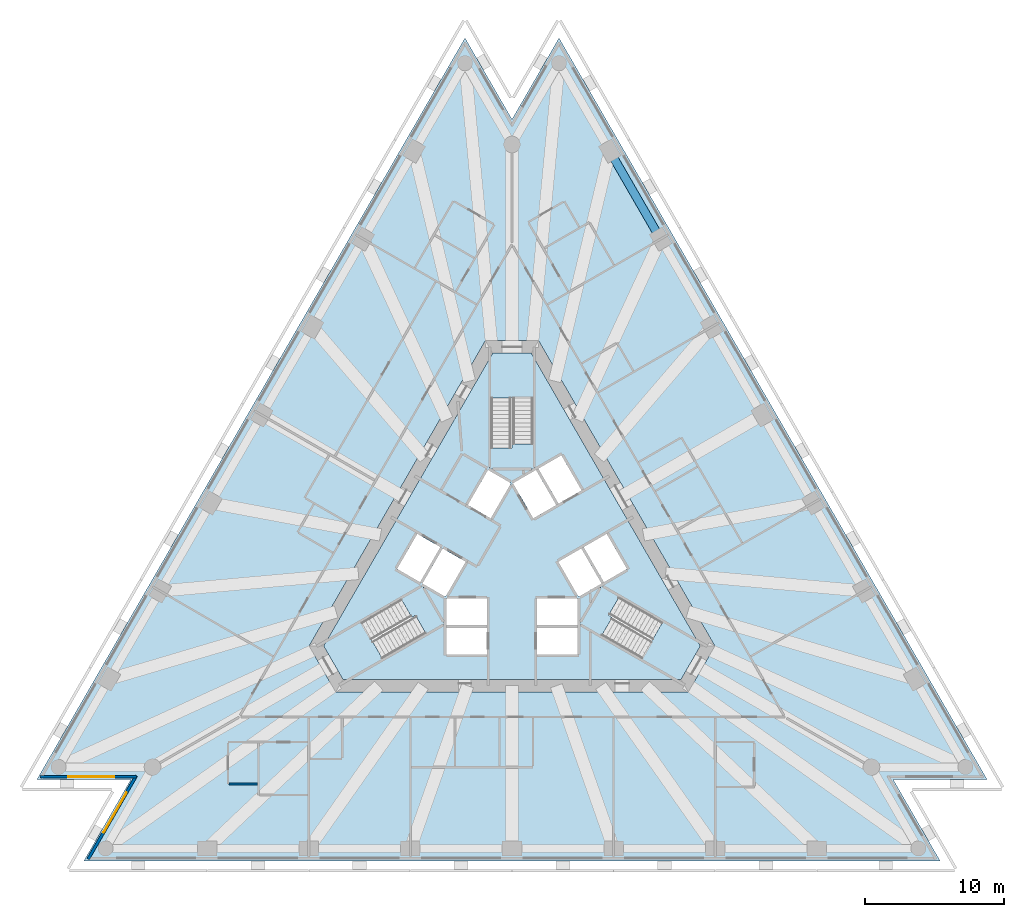
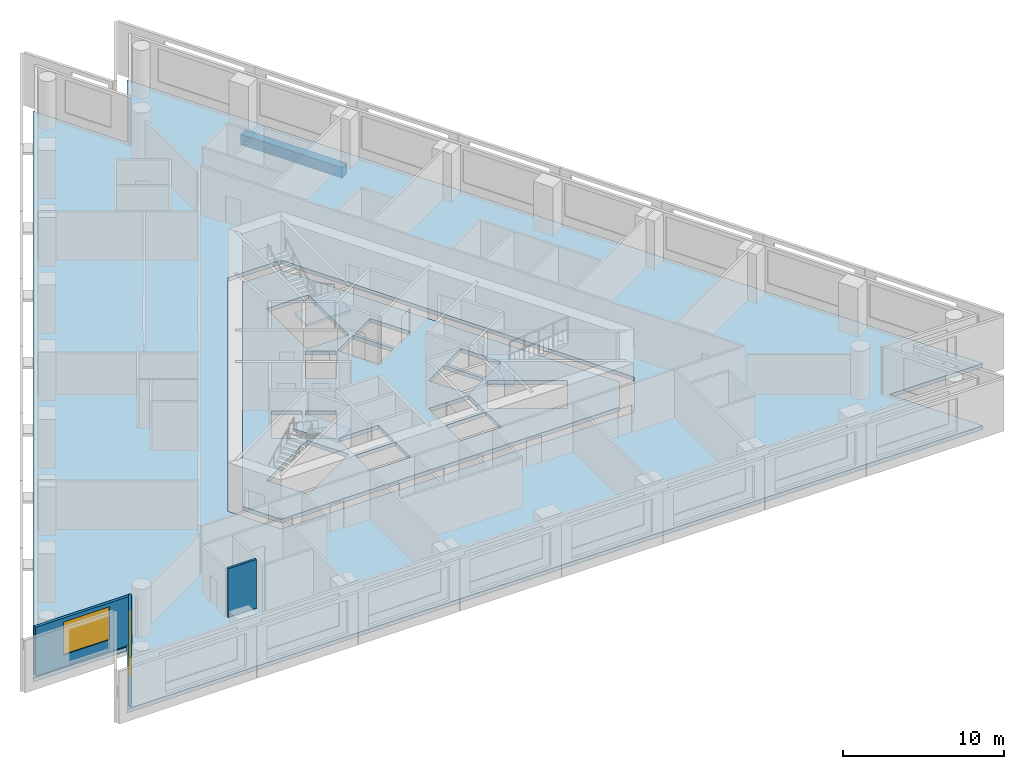
# One storey, part 2 of 11: 5 slabs, 3 walls, 2 windows, 1 beam, 2 openings, 3 elements without a shape of their own.
"""IFC4 building model written with IfcOpenShell, lengths in metres."""

from ifc_helpers import new_model, si_unit, direction, frame, frame_2d, origin, origin_2d, place, context, subcontext, project, spatial, polyline, rectangle, outline, extrude, material, layer, layer_set, layer_usage, material_profile, profile_set, type_object, element, fill, aggregate, save


model = new_model("IFC4")

# Units and contexts
model_context = context("Model", 3, precision=1e-05, world=origin(), true_north=direction((0.0, 1.0)))
body_context = subcontext(model_context, "Body", "Model", "MODEL_VIEW")
ifc_project = project(units=[si_unit("LENGTHUNIT", "METRE"), si_unit("AREAUNIT", "SQUARE_METRE"), si_unit("VOLUMEUNIT", "CUBIC_METRE"), si_unit("PLANEANGLEUNIT", "RADIAN"), si_unit("MASSUNIT", "GRAM", prefix="KILO")], contexts=[model_context])

# Site, building, storey
site_placement = place(None, origin())
site = spatial("IfcSite", under=ifc_project, at=site_placement, CompositionType="ELEMENT")
building_placement = place(site_placement, origin())
building = spatial("IfcBuilding", under=site, at=building_placement, Name="Triada Interchange Tower", CompositionType="ELEMENT")
storey_placement = place(building_placement, frame((0.0, 0.0, 79.300048828125)))
storey = spatial("IfcBuildingStorey", under=building, at=storey_placement, Name="L17", CompositionType="ELEMENT", Elevation=79.300048828125)

# Beam
ifc_material_1 = material(Name="Concrete C50/60", Category="concrete")
ifc_material_profile = material_profile(ifc_material_1, rectangle(XDim=0.60009765625, YDim=0.800048828125, at=origin_2d()), Name="RC 600x800")
ifc_profile_set = profile_set([ifc_material_profile], Name="Concrete C50/60")
beam_type = type_object("IfcBeamType", Name="Spandrel beam A RC 600x800", PredefinedType="BEAM", material=ifc_profile_set)
beam_placement = place(storey_placement, frame((10.657958984375, 22.98388671875, -0.699951171875), z_axis=(-0.499937067856, 0.866061734626, 0.0), x_axis=(-0.866061734626, -0.499937067856, 0.0)))
element("IfcBeam", 1, at=beam_placement, inside=storey, type_object=beam_type, Name="Spandrel beam EA27 L17", PredefinedType="BEAM", context=body_context, shape_type="SweptSolid", body=[
    extrude(rectangle(XDim=0.60009765625, YDim=0.800048828125, at=origin_2d()), origin(), (0.0, 0.0, 1.0), 7.287109375),
])

# Slabs
ifc_layer_1 = layer(ifc_material_1, 0.300048828125)
ifc_layer_set_1 = layer_set([ifc_layer_1], Name="Floor slab 300")
slab_type_1 = type_object("IfcSlabType", Name="Floor slab 300", PredefinedType="FLOOR", material=ifc_layer_set_1)
slab_1_placement = place(storey_placement, frame((0.0, 0.0, -0.300048828125)))
element("IfcSlab", 2, at=slab_1_placement, inside=storey, type_object=slab_type_1, Name="Floor slab L17", PredefinedType="FLOOR", context=body_context, shape_type="SweptSolid", body=[
    extrude(outline(polyline([(-3.37109375, 37.406005859375), (-34.080078125, -15.783935546875), (-27.339111328125, -15.783935546875), (-30.708984375, -21.6220703125), (30.708984375, -21.6220703125), (27.339111328125, -15.783935546875), (34.080078125, -15.783935546875), (3.37109375, 37.406005859375), (0.0, 31.568115234375), (-3.37109375, 37.406005859375)]), holes=[polyline([(1.905029296875, 15.699951171875), (-1.905029296875, 15.699951171875), (-14.549072265625, -6.199951171875), (-12.64404296875, -9.5), (12.64404296875, -9.5), (14.549072265625, -6.199951171875), (1.905029296875, 15.699951171875)])]), origin(), (0.0, 0.0, 1.0), 0.300048828125),
])
slab_2_placement = place(storey_placement, frame((0.0, 0.0, -0.300048828125)))
element("IfcSlab", 3, at=slab_2_placement, inside=storey, type_object=slab_type_1, Name="Core floor slab L17 1", PredefinedType="FLOOR", context=body_context, shape_type="SweptSolid", body=[
    extrude(outline(polyline([(13.510009765625, -6.199951171875), (12.1240234375, -8.60009765625), (-12.1240234375, -8.60009765625), (-13.510009765625, -6.199951171875), (-1.385986328125, 14.800048828125), (1.385986328125, 14.800048828125), (13.510009765625, -6.199951171875)]), holes=[polyline([(9.2958984375, -7.09912109375), (10.7958984375, -4.5009765625), (6.466064453125, -2.0009765625), (4.966064453125, -4.59912109375), (9.2958984375, -7.09912109375)]), polyline([(6.7890625, 1.841064453125), (5.14404296875, 0.89111328125), (6.593994140625, -1.6201171875), (8.239013671875, -0.669921875), (6.7890625, 1.841064453125)]), polyline([(4.969970703125, 0.791015625), (3.324951171875, -0.158935546875), (4.77490234375, -2.669921875), (6.419921875, -1.719970703125), (4.969970703125, 0.791015625)]), polyline([(1.89404296875, 6.52001953125), (3.343994140625, 4.009033203125), (4.989013671875, 4.958984375), (3.5390625, 7.469970703125), (1.89404296875, 6.52001953125)]), polyline([(1.800048828125, -4.89990234375), (1.800048828125, -6.800048828125), (4.699951171875, -6.800048828125), (4.699951171875, -4.89990234375), (1.800048828125, -4.89990234375)]), polyline([(1.800048828125, -2.800048828125), (1.800048828125, -4.031005859375), (1.800048828125, -4.699951171875), (4.699951171875, -4.699951171875), (4.699951171875, -2.800048828125), (1.800048828125, -2.800048828125)]), polyline([(1.52490234375, 2.958984375), (1.68408203125, 3.051025390625), (3.169921875, 3.908935546875), (1.719970703125, 6.419921875), (0.074951171875, 5.469970703125), (1.52490234375, 2.958984375)]), polyline([(1.5, 11.60009765625), (-1.5, 11.60009765625), (-1.5, 6.60009765625), (1.5, 6.60009765625), (1.5, 11.60009765625)]), polyline([(-0.074951171875, 5.469970703125), (-1.719970703125, 6.419921875), (-3.169921875, 3.908935546875), (-1.6298828125, 3.01904296875), (-1.52490234375, 2.958984375), (-0.074951171875, 5.469970703125)]), polyline([(-4.699951171875, -2.800048828125), (-4.699951171875, -4.699951171875), (-1.800048828125, -4.699951171875), (-1.800048828125, -4.031005859375), (-1.800048828125, -2.800048828125), (-4.699951171875, -2.800048828125)]), polyline([(-4.699951171875, -4.89990234375), (-4.699951171875, -6.800048828125), (-1.800048828125, -6.800048828125), (-1.800048828125, -4.89990234375), (-4.699951171875, -4.89990234375)]), polyline([(-4.77490234375, -2.669921875), (-3.324951171875, -0.158935546875), (-4.969970703125, 0.791015625), (-6.419921875, -1.719970703125), (-4.77490234375, -2.669921875)]), polyline([(-10.7958984375, -4.5009765625), (-9.2958984375, -7.09912109375), (-4.966064453125, -4.59912109375), (-6.466064453125, -2.0009765625), (-10.7958984375, -4.5009765625)]), polyline([(-6.593994140625, -1.6201171875), (-5.14404296875, 0.89111328125), (-6.7890625, 1.841064453125), (-8.239013671875, -0.669921875), (-6.593994140625, -1.6201171875)])]), origin(), (0.0, 0.0, 1.0), 0.300048828125),
])

# Stair, slab
ifc_material_2 = material(Name="Concrete C35/45", Category="concrete")
stair_type = type_object("IfcStairType", Name="HALF TURN STAIR 1400", PredefinedType="HALF_TURN_STAIR", material=ifc_material_2)
stair_1_placement = place(storey_placement, origin())
stair_1 = element("IfcStair", 4, at=stair_1_placement, inside=storey, type_object=stair_type, Name="Exit stair S15-1", PredefinedType="HALF_TURN_STAIR")
ifc_layer_2 = layer(ifc_material_2, 0.199951171875)
ifc_layer_set_2 = layer_set([ifc_layer_2], Name="STAIR LANDING 200")
slab_type_2 = type_object("IfcSlabType", Name="STAIR LANDING 200", PredefinedType="LANDING", material=ifc_layer_set_2)
slab_3_placement = place(storey_placement, frame((0.0, 0.0, 1.719970703125)))
slab_3 = element("IfcSlab", 5, at=slab_3_placement, type_object=slab_type_2, Name="S15-1 landing 1", PredefinedType="LANDING", context=body_context, shape_type="SweptSolid", body=[
    extrude(outline(polyline([(1.60009765625, 6.5), (1.60009765625, 8.300048828125), (0.0, 8.300048828125), (0.0, 8.0), (-1.60009765625, 8.0), (-1.60009765625, 6.5), (1.60009765625, 6.5)])), origin(), (0.0, 0.0, 1.0), 0.199951171875),
])
aggregate(stair_1, [slab_3])

stair_2_placement = place(storey_placement, origin())
stair_2 = element("IfcStair", 6, at=stair_2_placement, inside=storey, type_object=stair_type, Name="Exit stair S15-2", PredefinedType="HALF_TURN_STAIR")
slab_4_placement = place(storey_placement, frame((0.0, 0.0, 1.719970703125)))
slab_4 = element("IfcSlab", 7, at=slab_4_placement, type_object=slab_type_2, Name="S15-2 landing 1", PredefinedType="LANDING", context=body_context, shape_type="SweptSolid", body=[
    extrude(outline(polyline([(-6.428955078125, -1.864013671875), (-7.988037109375, -2.763916015625), (-7.18798828125, -4.14990234375), (-6.927978515625, -4.0), (-6.1279296875, -5.385986328125), (-4.8291015625, -4.635986328125), (-6.428955078125, -1.864013671875)])), origin(), (0.0, 0.0, 1.0), 0.199951171875),
])
aggregate(stair_2, [slab_4])

stair_3_placement = place(storey_placement, origin())
stair_3 = element("IfcStair", 8, at=stair_3_placement, inside=storey, type_object=stair_type, Name="Exit stair S15-3", PredefinedType="HALF_TURN_STAIR")
slab_5_placement = place(storey_placement, frame((0.0, 0.0, 1.719970703125)))
slab_5 = element("IfcSlab", 9, at=slab_5_placement, type_object=slab_type_2, Name="S15-3 landing 1", PredefinedType="LANDING", context=body_context, shape_type="SweptSolid", body=[
    extrude(outline(polyline([(4.8291015625, -4.635986328125), (6.387939453125, -5.535888671875), (7.18798828125, -4.14990234375), (6.927978515625, -4.0), (7.72802734375, -2.614013671875), (6.428955078125, -1.864013671875), (4.8291015625, -4.635986328125)])), origin(), (0.0, 0.0, 1.0), 0.199951171875),
])
aggregate(stair_3, [slab_5])

# Wall, opening, window
ifc_material_3 = material(Name="Cement board")
ifc_layer_3 = layer(ifc_material_3, 0.02001953125, Name="Cement board cladding")
ifc_material_4 = material(Name="Sheathing board")
ifc_layer_4 = layer(ifc_material_4, 0.014892578125, Name="Sheathing board")
ifc_material_5 = material(Name="Mineral wool")
ifc_layer_5 = layer(ifc_material_5, 0.14990234375, Name="Mineral wool between steel studs")
ifc_material_6 = material(Name="Gypsum board")
ifc_layer_6 = layer(ifc_material_6, 0.014892578125, Name="Plasterboard lining")
ifc_layer_set_3 = layer_set([ifc_layer_3, ifc_layer_4, ifc_layer_5, ifc_layer_6], Name="External wall 200")
ifc_layer_usage = layer_usage(ifc_layer_set_3, "AXIS2", "POSITIVE", -0.10009765625)
wall_type_1 = type_object("IfcWallType", Name="External wall 200", PredefinedType="ELEMENTEDWALL", material=ifc_layer_set_3)
wall_1_placement = place(storey_placement, frame((-33.823974609375, -15.583984375, 0.0), z_axis=(0.0, 0.0, 1.0), x_axis=(1.0, 0.0, 0.0)))
wall_1 = element("IfcWall", 10, at=wall_1_placement, inside=storey, type_object=wall_type_1, material=ifc_layer_usage, Name="External wall L17 SW-1", PredefinedType="ELEMENTEDWALL", context=body_context, shape_type="SweptSolid", body=[
    extrude(rectangle(XDim=6.90087890625, YDim=0.199951171875, at=frame_2d((3.450439453125, 0.0))), origin(), (0.0, 0.0, 1.0), 3.699951171875),
])
opening_1_placement = place(wall_1_placement, frame((1.989990234375, 0.0, 0.89990234375)))
opening_1 = element("IfcOpeningElement", 11, at=opening_1_placement, cuts=wall_1, Name="Opening WA09", PredefinedType="OPENING", context=body_context, shape_type="SweptSolid", body=[
    extrude(rectangle(XDim=3.300048828125, YDim=2.5, at=frame_2d((1.64990234375, 1.25))), frame((0.0, 0.10986328125, 0.0), z_axis=(0.0, -1.0, 0.0), x_axis=(1.0, 0.0, 0.0)), (0.0, 0.0, 1.0), 0.219970703125),
])
ifc_material_7 = material(Name="Double glazed aluminium window", Category="aluminium")
window_type = type_object("IfcWindowType", Name="Ribbon window A pocket", PartitioningType="SINGLE_PANEL", PredefinedType="WINDOW", material=ifc_material_7)
window_1_placement = place(opening_1_placement, origin())
window_1 = element("IfcWindow", 12, at=window_1_placement, inside=storey, type_object=window_type, Name="Window L17 SW-1 1", OverallHeight=2.5, OverallWidth=3.300048828125, PartitioningType="SINGLE_PANEL", PredefinedType="WINDOW", context=body_context, shape_type="SweptSolid", body=[
    extrude(rectangle(XDim=3.300048828125, YDim=2.5, at=frame_2d((1.64990234375, 1.25))), frame((0.0, 0.030029296875, 0.0), z_axis=(0.0, -1.0, 0.0), x_axis=(1.0, 0.0, 0.0)), (0.0, 0.0, 1.0), 0.06005859375),
])
fill(opening_1, window_1)

wall_2_placement = place(storey_placement, frame((-26.947998046875, -15.506103515625, 0.0), z_axis=(0.0, 0.0, 1.0), x_axis=(-0.499917428568, -0.866073071175, 0.0)))
wall_2 = element("IfcWall", 13, at=wall_2_placement, inside=storey, type_object=wall_type_1, material=ifc_layer_usage, Name="External wall L17 SW-2", PredefinedType="ELEMENTEDWALL", context=body_context, shape_type="SweptSolid", body=[
    extrude(rectangle(XDim=6.901123046875, YDim=0.199951171875, at=frame_2d((3.45068359375, 0.0))), origin(), (0.0, 0.0, 1.0), 3.699951171875),
])
opening_2_placement = place(wall_2_placement, frame((1.389892578125, 0.0, 0.89990234375)))
opening_2 = element("IfcOpeningElement", 14, at=opening_2_placement, cuts=wall_2, Name="Opening WA10", PredefinedType="OPENING", context=body_context, shape_type="SweptSolid", body=[
    extrude(rectangle(XDim=3.300048828125, YDim=2.5, at=frame_2d((1.64990234375, 1.25))), frame((0.0, 0.10986328125, 0.0), z_axis=(0.0, -1.0, 0.0), x_axis=(1.0, 0.0, 0.0)), (0.0, 0.0, 1.0), 0.219970703125),
])
window_2_placement = place(opening_2_placement, origin())
window_2 = element("IfcWindow", 15, at=window_2_placement, inside=storey, type_object=window_type, Name="Window L17 SW-2 1", OverallHeight=2.5, OverallWidth=3.300048828125, PartitioningType="SINGLE_PANEL", PredefinedType="WINDOW", context=body_context, shape_type="SweptSolid", body=[
    extrude(rectangle(XDim=3.300048828125, YDim=2.5, at=frame_2d((1.64990234375, 1.25))), frame((0.0, 0.030029296875, 0.0), z_axis=(0.0, -1.0, 0.0), x_axis=(1.0, 0.0, 0.0)), (0.0, 0.0, 1.0), 0.06005859375),
])
fill(opening_2, window_2)

# Wall
ifc_material_8 = material(Name="Gypsum board partition")
ifc_layer_7 = layer(ifc_material_8, 0.14990234375)
ifc_layer_set_4 = layer_set([ifc_layer_7], Name="PARTITION 150 EI 90")
wall_type_2 = type_object("IfcWallType", Name="PARTITION 150 EI 90", PredefinedType="PARTITIONING", material=ifc_layer_set_4)
wall_3_placement = place(storey_placement, frame((-20.300048828125, -16.10009765625, 0.0), z_axis=(0.0, 0.0, 1.0), x_axis=(1.0, 0.0, 0.0)))
element("IfcWall", 16, at=wall_3_placement, inside=storey, type_object=wall_type_2, Name="Wall L15 38", PredefinedType="PARTITIONING", context=body_context, shape_type="SweptSolid", body=[
    extrude(rectangle(XDim=2.050048828125, YDim=0.14990234375, at=frame_2d((1.02490234375, 0.0))), origin(), (0.0, 0.0, 1.0), 3.699951171875),
])

save(model, "model.ifc")
